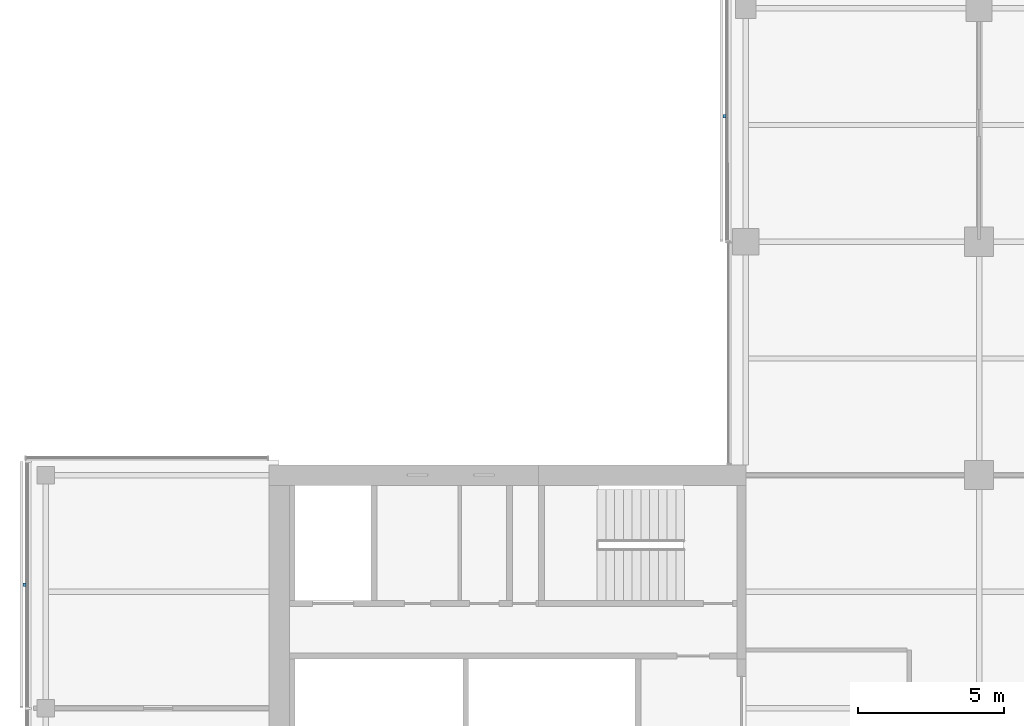
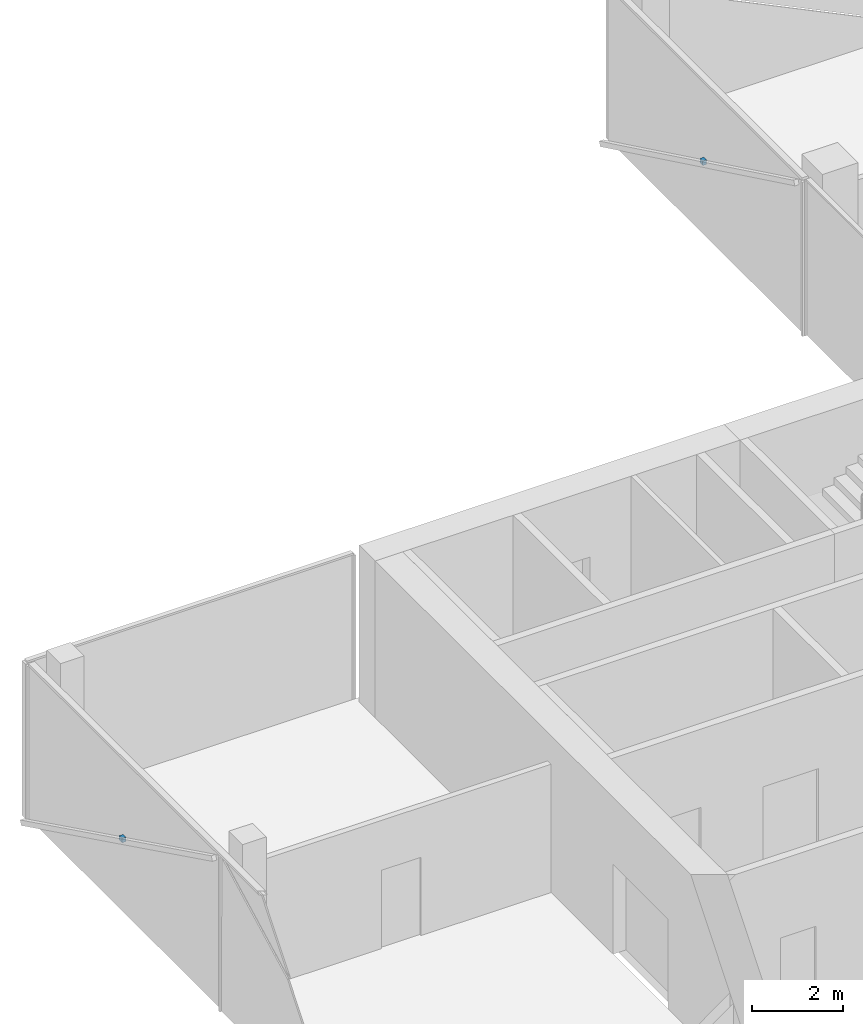
# One storey, part 19 of 22: 2 discrete accessories.
"""IFC4 building model written with IfcOpenShell, lengths in metres."""

from ifc_helpers import new_model, si_unit, direction, frame, origin, origin_2d, place, context, subcontext, project, spatial, rectangle, extrude, material, type_object, element, save


model = new_model("IFC4")

# Units and contexts
model_context = context("Model", 3, precision=1e-05, world=origin(), true_north=direction((0.0, 1.0)))
body_context = subcontext(model_context, "Body", "Model", "MODEL_VIEW")
ifc_project = project(units=[si_unit("LENGTHUNIT", "METRE"), si_unit("AREAUNIT", "SQUARE_METRE"), si_unit("VOLUMEUNIT", "CUBIC_METRE"), si_unit("PLANEANGLEUNIT", "RADIAN"), si_unit("MASSUNIT", "GRAM", prefix="KILO")], contexts=[model_context])

# Site, building, storey
site_placement = place(None, origin())
site = spatial("IfcSite", under=ifc_project, at=site_placement, CompositionType="ELEMENT")
building_placement = place(site_placement, origin())
building = spatial("IfcBuilding", under=site, at=building_placement, Name="Crosswind Convention Tower", CompositionType="ELEMENT")
storey_placement = place(building_placement, frame((0.0, 0.0, 163.10009765625)))
storey = spatial("IfcBuildingStorey", under=building, at=storey_placement, Name="L34", CompositionType="ELEMENT", Elevation=163.10009765625)

# Discrete accessories
ifc_material = material(Name="Stainless steel", Category="steel")
discrete_accessory_type = type_object("IfcDiscreteAccessoryType", Name="BAGUETTE BRACKET BK3", PredefinedType="BRACKET", material=ifc_material)
for number, where, z_axis, x_axis, name in (
    (1, (112.27392578125, 124.304931640625, 1.704833984375), (0.0, 0.0, 1.0), (0.0, -1.0, 0.0), "BK3 baguette bracket"),
    (2, (88.27392578125, 108.232421875, 1.704833984375), (0.0, 0.0, 1.0), (0.0, -1.0, 0.0), "BK3 baguette bracket"),
):
    element("IfcDiscreteAccessory", number, at=place(storey_placement, frame(where, z_axis=z_axis, x_axis=x_axis)), inside=storey, type_object=discrete_accessory_type, Name=name, PredefinedType="BRACKET", context=body_context, shape_type="SweptSolid", body=[
        extrude(rectangle(XDim=0.1201171875, YDim=0.10009765625, at=origin_2d()), origin(), (0.0, 0.0, 1.0), 0.1201171875),
    ])

save(model, "model.ifc")
